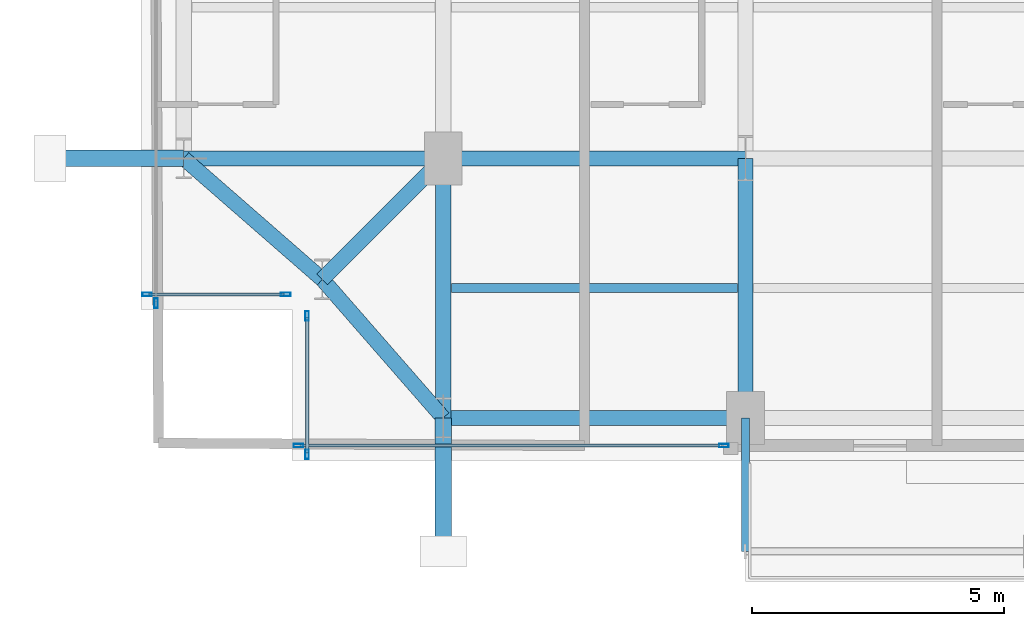
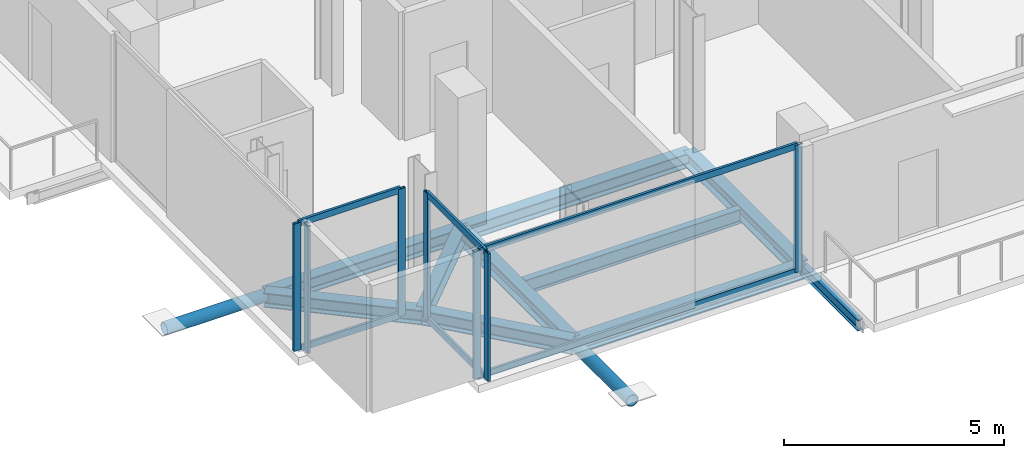
# One storey, part 2 of 22: 15 members, 10 beams, 4 elements without a shape of their own.
"""IFC4 building model written with IfcOpenShell, lengths in metres."""

from ifc_helpers import new_model, si_unit, direction, frame, origin, origin_2d, place, context, subcontext, project, spatial, hollow_rectangle, hollow_circle, i_section, extrude, material, layer, layer_set, material_profile, profile_set, type_object, element, aggregate, save


model = new_model("IFC4")

# Units and contexts
model_context = context("Model", 3, precision=1e-05, world=origin(), true_north=direction((0.0, 1.0)))
body_context = subcontext(model_context, "Body", "Model", "MODEL_VIEW")
ifc_project = project(units=[si_unit("LENGTHUNIT", "METRE"), si_unit("AREAUNIT", "SQUARE_METRE"), si_unit("VOLUMEUNIT", "CUBIC_METRE"), si_unit("PLANEANGLEUNIT", "RADIAN"), si_unit("MASSUNIT", "GRAM", prefix="KILO"), si_unit("THERMODYNAMICTEMPERATUREUNIT", "KELVIN"), si_unit("POWERUNIT", "WATT")], contexts=[model_context])

# Site, building, storey
site_placement = place(None, origin())
site = spatial("IfcSite", under=ifc_project, at=site_placement, CompositionType="ELEMENT")
building_placement = place(site_placement, origin())
building = spatial("IfcBuilding", under=site, at=building_placement, Name="Svarakhadi Broadcast Tower", CompositionType="ELEMENT")
storey_placement = place(building_placement, frame((0.0, 0.0, 172.949951171875)))
storey = spatial("IfcBuildingStorey", under=building, at=storey_placement, Name="L42", CompositionType="ELEMENT", Elevation=172.949951171875)

# Beam
ifc_material_1 = material(Name="Steel S355J2 (IS 2062 E350C)", Category="steel")
ifc_material_profile_1 = material_profile(ifc_material_1, i_section(OverallWidth=0.179931640625, OverallDepth=0.39990234375, WebThickness=0.008544921875, FlangeThickness=0.013427734375, FilletRadius=0.02099609375, at=origin_2d()), Name="NPB 400x180x66")
ifc_profile_set_1 = profile_set([ifc_material_profile_1], Name="Steel S355J2 (IS 2062 E350C)")
beam_type_1 = type_object("IfcBeamType", Name="Beam_NPB400", PredefinedType="BEAM", material=ifc_profile_set_1)
beam_1_placement = place(storey_placement, frame((6.159912109375, 3.425048828125, -0.409912109375), z_axis=(1.0, 0.0, 0.0), x_axis=(0.0, 1.0, 0.0)))
element("IfcBeam", 1, at=beam_1_placement, inside=storey, type_object=beam_type_1, Name="L42 Secondary Composite Beam SB005", PredefinedType="BEAM", context=body_context, shape_type="SweptSolid", body=[
    extrude(i_section(OverallWidth=0.179931640625, OverallDepth=0.39990234375, WebThickness=0.008544921875, FlangeThickness=0.013427734375, FilletRadius=0.02099609375, at=origin_2d()), origin(), (0.0, 0.0, 1.0), 5.68017578125),
])

# Curtain wall, members
ifc_material_2 = material(Name="Anodised Bronze Aluminium AA 6063-T6", Category="aluminium")
ifc_layer = layer(ifc_material_2, 0.18994140625)
ifc_layer_set = layer_set([ifc_layer], Name="Anodised Bronze Aluminium AA 6063-T6")
curtain_wall_type = type_object("IfcCurtainWallType", Name="CW_Sys_04", PredefinedType="NOTDEFINED", material=ifc_layer_set)
curtain_wall_1_placement = place(storey_placement, origin())
curtain_wall_1 = element("IfcCurtainWall", 2, at=curtain_wall_1_placement, inside=storey, type_object=curtain_wall_type, Name="L42 Unitised Facade Curtain Wall 01", PredefinedType="NOTDEFINED")
ifc_material_profile_2 = material_profile(ifc_material_2, hollow_rectangle(XDim=0.070068359375, YDim=0.18994140625, WallThickness=0.005615234375, at=origin_2d()), Name="ALU MULLION 190x70x6")
ifc_profile_set_2 = profile_set([ifc_material_profile_2], Name="Anodised Bronze Aluminium AA 6063-T6")
member_type_1 = type_object("IfcMemberType", Name="CW_Sys_04_Mul", PredefinedType="MULLION", material=ifc_profile_set_2)
member_1_placement = place(storey_placement, frame((2.875, 3.300048828125, 0.0), z_axis=(0.0, 0.0, 1.0), x_axis=(0.0, -1.0, 0.0)))
member_1 = element("IfcMember", 3, at=member_1_placement, type_object=member_type_1, Name="CW-04 mullion 1", PredefinedType="MULLION", context=body_context, shape_type="SweptSolid", body=[
    extrude(hollow_rectangle(XDim=0.070068359375, YDim=0.18994140625, WallThickness=0.005615234375, at=origin_2d()), origin(), (0.0, 0.0, 1.0), 3.5400390625),
])
member_2_placement = place(storey_placement, frame((0.125, 3.300048828125, 0.0), z_axis=(0.0, 0.0, 1.0), x_axis=(0.0, -1.0, 0.0)))
member_2 = element("IfcMember", 4, at=member_2_placement, type_object=member_type_1, Name="CW-04 mullion 2", PredefinedType="MULLION", context=body_context, shape_type="SweptSolid", body=[
    extrude(hollow_rectangle(XDim=0.070068359375, YDim=0.18994140625, WallThickness=0.005615234375, at=origin_2d()), origin(), (0.0, 0.0, 1.0), 3.5400390625),
])

# Curtain wall, member
curtain_wall_2_placement = place(storey_placement, origin())
curtain_wall_2 = element("IfcCurtainWall", 5, at=curtain_wall_2_placement, inside=storey, type_object=curtain_wall_type, Name="L42 West Curtain Wall 02", PredefinedType="NOTDEFINED")
member_3_placement = place(storey_placement, frame((0.300048828125, 3.125, 0.0), z_axis=(0.0, 0.0, 1.0), x_axis=(-1.0, 0.0, 0.0)))
member_3 = element("IfcMember", 6, at=member_3_placement, type_object=member_type_1, Name="CW-04 mullion 1", PredefinedType="MULLION", context=body_context, shape_type="SweptSolid", body=[
    extrude(hollow_rectangle(XDim=0.070068359375, YDim=0.18994140625, WallThickness=0.005615234375, at=origin_2d()), origin(), (0.0, 0.0, 1.0), 3.5400390625),
])
aggregate(curtain_wall_2, [member_3])

# Curtain wall, members
curtain_wall_3_placement = place(storey_placement, origin())
curtain_wall_3 = element("IfcCurtainWall", 7, at=curtain_wall_3_placement, inside=storey, type_object=curtain_wall_type, Name="L42 South Curtain Wall 17", PredefinedType="NOTDEFINED")
member_4_placement = place(storey_placement, frame((11.570068359375, 0.300048828125, 0.0), z_axis=(0.0, 0.0, 1.0), x_axis=(0.0, -1.0, 0.0)))
member_4 = element("IfcMember", 8, at=member_4_placement, type_object=member_type_1, Name="CW-04 mullion 1", PredefinedType="MULLION", context=body_context, shape_type="SweptSolid", body=[
    extrude(hollow_rectangle(XDim=0.070068359375, YDim=0.18994140625, WallThickness=0.005615234375, at=origin_2d()), origin(), (0.0, 0.0, 1.0), 3.5400390625),
])
member_5_placement = place(storey_placement, frame((3.125, 0.300048828125, 0.0), z_axis=(0.0, 0.0, 1.0), x_axis=(0.0, -1.0, 0.0)))
member_5 = element("IfcMember", 9, at=member_5_placement, type_object=member_type_1, Name="CW-04 mullion 2", PredefinedType="MULLION", context=body_context, shape_type="SweptSolid", body=[
    extrude(hollow_rectangle(XDim=0.070068359375, YDim=0.18994140625, WallThickness=0.005615234375, at=origin_2d()), origin(), (0.0, 0.0, 1.0), 3.5400390625),
])

curtain_wall_4_placement = place(storey_placement, origin())
curtain_wall_4 = element("IfcCurtainWall", 10, at=curtain_wall_4_placement, inside=storey, type_object=curtain_wall_type, Name="L42 Unitised Facade Curtain Wall 18", PredefinedType="NOTDEFINED")
member_6_placement = place(storey_placement, frame((3.300048828125, 0.125, 0.0), z_axis=(0.0, 0.0, 1.0), x_axis=(-1.0, 0.0, 0.0)))
member_6 = element("IfcMember", 11, at=member_6_placement, type_object=member_type_1, Name="CW-04 mullion 1", PredefinedType="MULLION", context=body_context, shape_type="SweptSolid", body=[
    extrude(hollow_rectangle(XDim=0.070068359375, YDim=0.18994140625, WallThickness=0.005615234375, at=origin_2d()), origin(), (0.0, 0.0, 1.0), 3.5400390625),
])
member_7_placement = place(storey_placement, frame((3.300048828125, 2.875, 0.0), z_axis=(0.0, 0.0, 1.0), x_axis=(-1.0, 0.0, 0.0)))
member_7 = element("IfcMember", 12, at=member_7_placement, type_object=member_type_1, Name="CW-04 mullion 2", PredefinedType="MULLION", context=body_context, shape_type="SweptSolid", body=[
    extrude(hollow_rectangle(XDim=0.070068359375, YDim=0.18994140625, WallThickness=0.005615234375, at=origin_2d()), origin(), (0.0, 0.0, 1.0), 3.5400390625),
])

# Member
ifc_material_profile_3 = material_profile(ifc_material_2, hollow_rectangle(XDim=0.06494140625, YDim=0.175048828125, WallThickness=0.0048828125, at=origin_2d()), Name="ALU TRANSOM 175x65x5")
ifc_profile_set_3 = profile_set([ifc_material_profile_3], Name="Anodised Bronze Aluminium AA 6063-T6")
member_type_2 = type_object("IfcMemberType", Name="CW_Sys_04_Trn", PredefinedType="USERDEFINED", material=ifc_profile_set_3)
member_8_placement = place(storey_placement, frame((2.840087890625, 3.300048828125, 0.032470703125), z_axis=(-1.0, 0.0, 0.0), x_axis=(0.0, -1.0, 0.0)))
member_8 = element("IfcMember", 13, at=member_8_placement, type_object=member_type_2, Name="CW-04 transom 1.1", ObjectType="TRANSOM", PredefinedType="USERDEFINED", context=body_context, shape_type="SweptSolid", body=[
    extrude(hollow_rectangle(XDim=0.06494140625, YDim=0.175048828125, WallThickness=0.0048828125, at=origin_2d()), origin(), (0.0, 0.0, 1.0), 2.68017578125),
])

member_9_placement = place(storey_placement, frame((2.840087890625, 3.300048828125, 3.507568359375), z_axis=(-1.0, 0.0, 0.0), x_axis=(0.0, -1.0, 0.0)))
member_9 = element("IfcMember", 14, at=member_9_placement, type_object=member_type_2, Name="CW-04 transom 1.2", ObjectType="TRANSOM", PredefinedType="USERDEFINED", context=body_context, shape_type="SweptSolid", body=[
    extrude(hollow_rectangle(XDim=0.06494140625, YDim=0.175048828125, WallThickness=0.0048828125, at=origin_2d()), origin(), (0.0, 0.0, 1.0), 2.68017578125),
])

aggregate(curtain_wall_1, [member_1, member_2, member_8, member_9])

member_10_placement = place(storey_placement, frame((11.534912109375, 0.300048828125, 0.032470703125), z_axis=(-1.0, 0.0, 0.0), x_axis=(0.0, -1.0, 0.0)))
member_10 = element("IfcMember", 15, at=member_10_placement, type_object=member_type_2, Name="CW-04 transom 1.1", ObjectType="TRANSOM", PredefinedType="USERDEFINED", context=body_context, shape_type="SweptSolid", body=[
    extrude(hollow_rectangle(XDim=0.06494140625, YDim=0.175048828125, WallThickness=0.0048828125, at=origin_2d()), origin(), (0.0, 0.0, 1.0), 8.375),
])

member_11_placement = place(storey_placement, frame((11.534912109375, 0.300048828125, 3.507568359375), z_axis=(-1.0, 0.0, 0.0), x_axis=(0.0, -1.0, 0.0)))
member_11 = element("IfcMember", 16, at=member_11_placement, type_object=member_type_2, Name="CW-04 transom 1.2", ObjectType="TRANSOM", PredefinedType="USERDEFINED", context=body_context, shape_type="SweptSolid", body=[
    extrude(hollow_rectangle(XDim=0.06494140625, YDim=0.175048828125, WallThickness=0.0048828125, at=origin_2d()), origin(), (0.0, 0.0, 1.0), 8.375),
])

aggregate(curtain_wall_3, [member_4, member_5, member_10, member_11])

member_12_placement = place(storey_placement, frame((3.300048828125, 0.159912109375, 0.032470703125), z_axis=(0.0, 1.0, 0.0), x_axis=(-1.0, 0.0, 0.0)))
member_12 = element("IfcMember", 17, at=member_12_placement, type_object=member_type_2, Name="CW-04 transom 1.1", ObjectType="TRANSOM", PredefinedType="USERDEFINED", context=body_context, shape_type="SweptSolid", body=[
    extrude(hollow_rectangle(XDim=0.06494140625, YDim=0.175048828125, WallThickness=0.0048828125, at=origin_2d()), origin(), (0.0, 0.0, 1.0), 2.68017578125),
])

member_13_placement = place(storey_placement, frame((3.300048828125, 0.159912109375, 3.507568359375), z_axis=(0.0, 1.0, 0.0), x_axis=(-1.0, 0.0, 0.0)))
member_13 = element("IfcMember", 18, at=member_13_placement, type_object=member_type_2, Name="CW-04 transom 1.2", ObjectType="TRANSOM", PredefinedType="USERDEFINED", context=body_context, shape_type="SweptSolid", body=[
    extrude(hollow_rectangle(XDim=0.06494140625, YDim=0.175048828125, WallThickness=0.0048828125, at=origin_2d()), origin(), (0.0, 0.0, 1.0), 2.68017578125),
])

aggregate(curtain_wall_4, [member_6, member_7, member_12, member_13])

# Members
ifc_material_3 = material(Name="Steel S460ML (IS 2062 E450BR)", Category="steel")
ifc_material_profile_4 = material_profile(ifc_material_3, hollow_circle(Radius=0.161865234375, WallThickness=0.01611328125, at=origin_2d()), Name="CHS 323.9x16")
ifc_profile_set_4 = profile_set([ifc_material_profile_4], Name="Steel S460ML (IS 2062 E450BR)")
member_type_3 = type_object("IfcMemberType", Name="Exo_Radial_Strut_Z2", PredefinedType="STRUT", material=ifc_profile_set_4)
for number, where, z_axis, x_axis, name in (
    (19, (6.0, -1.800048828125, -0.371826171875), (0.0, 1.0, 0.0), (-1.0, 0.0, 0.0), "L42 Exoskeleton Radial Tie Strut S01"),
    (20, (-1.800048828125, 6.0, -0.371826171875), (1.0, 0.0, 0.0), (0.0, 1.0, 0.0), "L42 Exoskeleton Radial Tie Strut W04"),
):
    element("IfcMember", number, at=place(storey_placement, frame(where, z_axis=z_axis, x_axis=x_axis)), inside=storey, type_object=member_type_3, Name=name, PredefinedType="STRUT", context=body_context, shape_type="SweptSolid", body=[
        extrude(hollow_circle(Radius=0.161865234375, WallThickness=0.01611328125, at=origin_2d()), origin(), (0.0, 0.0, 1.0), 2.650146484375),
    ])

# Beams
ifc_material_profile_5 = material_profile(ifc_material_1, i_section(OverallWidth=0.300048828125, OverallDepth=0.39990234375, WebThickness=0.013427734375, FlangeThickness=0.02392578125, FilletRadius=0.027099609375, at=origin_2d()), Name="WPB 400x300x155")
ifc_profile_set_5 = profile_set([ifc_material_profile_5], Name="Steel S355J2 (IS 2062 E350C)")
beam_type_2 = type_object("IfcBeamType", Name="Girder_WPB400", PredefinedType="USERDEFINED", material=ifc_profile_set_5)
beam_2_placement = place(storey_placement, frame((3.60009765625, 3.60009765625, -0.409912109375), z_axis=(0.707106781187, 0.707106781187, 0.0), x_axis=(-0.707106781187, 0.707106781187, 0.0)))
element("IfcBeam", 21, at=beam_2_placement, inside=storey, type_object=beam_type_2, Name="L42 Corner Tie Girder G001", ObjectType="GIRDER", PredefinedType="USERDEFINED", context=body_context, shape_type="SweptSolid", body=[
    extrude(i_section(OverallWidth=0.300048828125, OverallDepth=0.39990234375, WebThickness=0.013427734375, FlangeThickness=0.02392578125, FilletRadius=0.027099609375, at=origin_2d()), origin(), (0.0, 0.0, 1.0), 3.39404296875),
])
for number, where, z_axis, x_axis, name in (
    (22, (3.60009765625, 3.60009765625, -0.409912109375), (-0.753437912176, 0.657519058655, 0.0), (-0.657519058655, -0.753437912176, 0.0), "L42 Corner Tie Girder G002"),
    (23, (3.60009765625, 3.60009765625, -0.409912109375), (0.657519058655, -0.753437912176, 0.0), (0.753437912176, 0.657519058655, 0.0), "L42 Corner Tie Girder G003"),
):
    element("IfcBeam", number, at=place(storey_placement, frame(where, z_axis=z_axis, x_axis=x_axis)), inside=storey, type_object=beam_type_2, Name=name, ObjectType="GIRDER", PredefinedType="USERDEFINED", context=body_context, shape_type="SweptSolid", body=[
        extrude(i_section(OverallWidth=0.300048828125, OverallDepth=0.39990234375, WebThickness=0.013427734375, FlangeThickness=0.02392578125, FilletRadius=0.027099609375, at=origin_2d()), origin(), (0.0, 0.0, 1.0), 3.64990234375),
    ])
beam_3_placement = place(storey_placement, frame((6.0, 0.85009765625, -0.409912109375), z_axis=(1.0, 0.0, 0.0), x_axis=(0.0, 1.0, 0.0)))
element("IfcBeam", 24, at=beam_3_placement, inside=storey, type_object=beam_type_2, Name="L42 Primary E-W Girder G004", ObjectType="GIRDER", PredefinedType="USERDEFINED", context=body_context, shape_type="SweptSolid", body=[
    extrude(i_section(OverallWidth=0.300048828125, OverallDepth=0.39990234375, WebThickness=0.013427734375, FlangeThickness=0.02392578125, FilletRadius=0.027099609375, at=origin_2d()), origin(), (0.0, 0.0, 1.0), 6.0),
])
beam_4_placement = place(storey_placement, frame((0.85009765625, 6.0, -0.409912109375), z_axis=(1.0, 0.0, 0.0), x_axis=(0.0, 1.0, 0.0)))
element("IfcBeam", 25, at=beam_4_placement, inside=storey, type_object=beam_type_2, Name="L42 Primary E-W Girder G009", ObjectType="GIRDER", PredefinedType="USERDEFINED", context=body_context, shape_type="SweptSolid", body=[
    extrude(i_section(OverallWidth=0.300048828125, OverallDepth=0.39990234375, WebThickness=0.013427734375, FlangeThickness=0.02392578125, FilletRadius=0.027099609375, at=origin_2d()), origin(), (0.0, 0.0, 1.0), 5.14990234375),
])
beam_5_placement = place(storey_placement, frame((6.0, 6.0, -0.409912109375), z_axis=(1.0, 0.0, 0.0), x_axis=(0.0, 1.0, 0.0)))
element("IfcBeam", 26, at=beam_5_placement, inside=storey, type_object=beam_type_2, Name="L42 Primary E-W Girder G010", ObjectType="GIRDER", PredefinedType="USERDEFINED", context=body_context, shape_type="SweptSolid", body=[
    extrude(i_section(OverallWidth=0.300048828125, OverallDepth=0.39990234375, WebThickness=0.013427734375, FlangeThickness=0.02392578125, FilletRadius=0.027099609375, at=origin_2d()), origin(), (0.0, 0.0, 1.0), 6.0),
])
for number, where, z_axis, x_axis, name in (
    (27, (6.0, 0.85009765625, -0.409912109375), (0.0, 1.0, 0.0), (-1.0, 0.0, 0.0), "L42 Primary N-S Girder G037"),
    (28, (12.0, 0.85009765625, -0.409912109375), (0.0, 1.0, 0.0), (-1.0, 0.0, 0.0), "L42 Primary N-S Girder G042"),
):
    element("IfcBeam", number, at=place(storey_placement, frame(where, z_axis=z_axis, x_axis=x_axis)), inside=storey, type_object=beam_type_2, Name=name, ObjectType="GIRDER", PredefinedType="USERDEFINED", context=body_context, shape_type="SweptSolid", body=[
        extrude(i_section(OverallWidth=0.300048828125, OverallDepth=0.39990234375, WebThickness=0.013427734375, FlangeThickness=0.02392578125, FilletRadius=0.027099609375, at=origin_2d()), origin(), (0.0, 0.0, 1.0), 5.14990234375),
    ])
ifc_material_profile_6 = material_profile(ifc_material_1, i_section(OverallWidth=0.14990234375, OverallDepth=0.300048828125, WebThickness=0.007080078125, FlangeThickness=0.0107421875, FilletRadius=0.014892578125, at=origin_2d()), Name="NPB 300x150x37")
ifc_profile_set_6 = profile_set([ifc_material_profile_6], Name="Steel S355J2 (IS 2062 E350C)")
beam_type_3 = type_object("IfcBeamType", Name="Spandrel_NPB300", PredefinedType="SPANDREL", material=ifc_profile_set_6)
beam_6_placement = place(storey_placement, frame((12.0, 0.85009765625, -0.375), z_axis=(0.0, -1.0, 0.0), x_axis=(1.0, 0.0, 0.0)))
element("IfcBeam", 29, at=beam_6_placement, inside=storey, type_object=beam_type_3, Name="L42 Balcony Cantilever Bracket 1A", PredefinedType="SPANDREL", context=body_context, shape_type="SweptSolid", body=[
    extrude(i_section(OverallWidth=0.14990234375, OverallDepth=0.300048828125, WebThickness=0.007080078125, FlangeThickness=0.0107421875, FilletRadius=0.014892578125, at=origin_2d()), origin(), (0.0, 0.0, 1.0), 2.650146484375),
])

save(model, "model.ifc")
